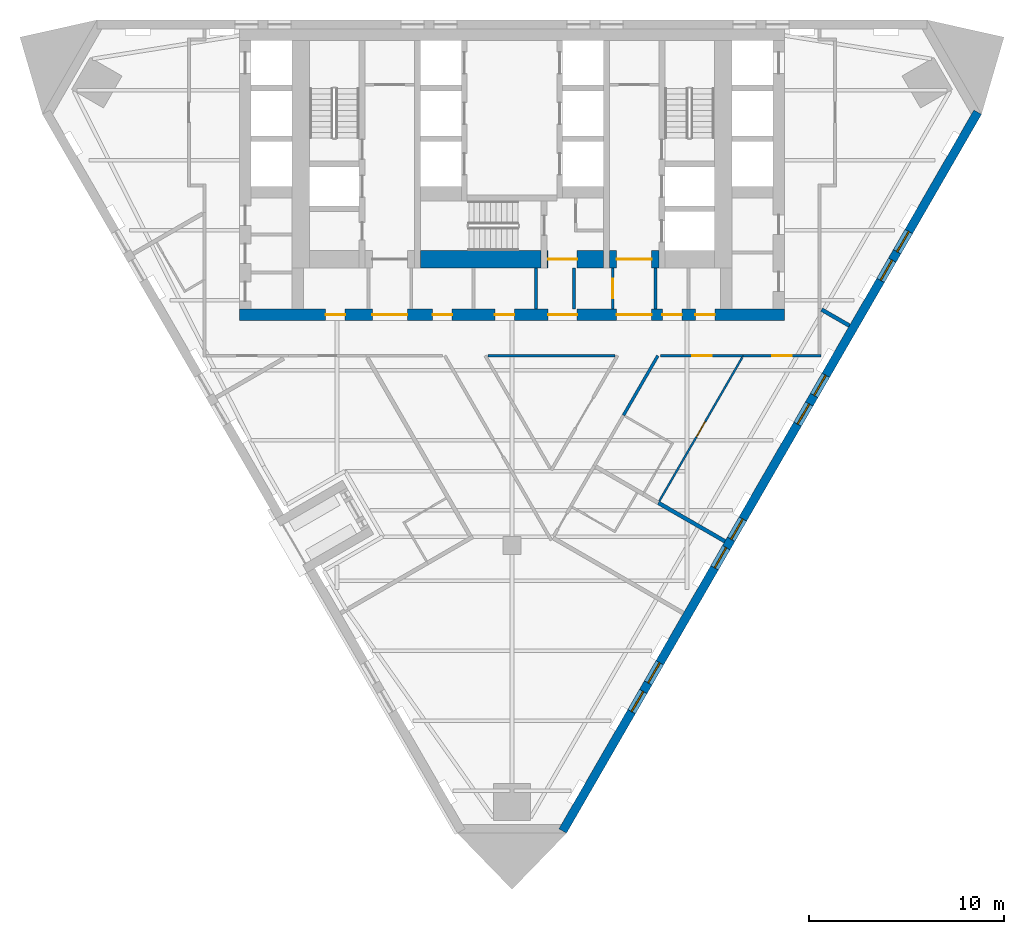
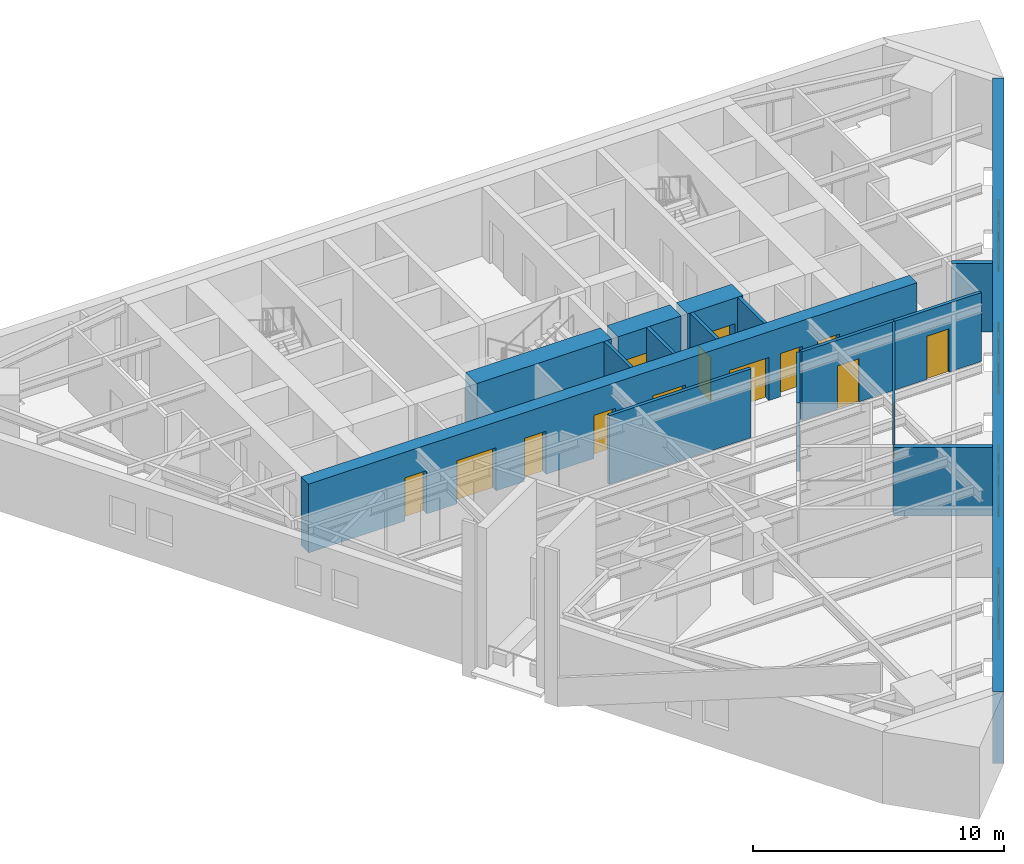
# One storey, part 4 of 9: 16 walls, 14 doors, 8 windows, 22 openings.
"""IFC4 building model written with IfcOpenShell, lengths in metres."""

from ifc_helpers import new_model, si_unit, direction, frame, frame_2d, origin, place, context, subcontext, project, spatial, polyline, rectangle, outline, extrude, material, layer, layer_set, type_object, element, fill, save


model = new_model("IFC4")

# Units and contexts
model_context = context("Model", 3, precision=1e-05, world=origin(), true_north=direction((0.0, 1.0)))
body_context = subcontext(model_context, "Body", "Model", "MODEL_VIEW")
ifc_project = project(units=[si_unit("LENGTHUNIT", "METRE"), si_unit("AREAUNIT", "SQUARE_METRE"), si_unit("VOLUMEUNIT", "CUBIC_METRE"), si_unit("PLANEANGLEUNIT", "RADIAN"), si_unit("MASSUNIT", "GRAM", prefix="KILO")], contexts=[model_context])

# Site, building, storey
site_placement = place(None, origin())
site = spatial("IfcSite", under=ifc_project, at=site_placement, CompositionType="ELEMENT")
building_placement = place(site_placement, origin())
building = spatial("IfcBuilding", under=site, at=building_placement, Name="Aloe Facet Convention Tower", CompositionType="ELEMENT")
storey_placement = place(building_placement, frame((0.0, 0.0, 99.300048828125)))
storey = spatial("IfcBuildingStorey", under=building, at=storey_placement, Name="L24", CompositionType="ELEMENT", Elevation=99.300048828125)

# Walls
ifc_material_1 = material(Name="Concrete blockwork partition", Category="masonry")
ifc_layer_1 = layer(ifc_material_1, 0.14990234375)
ifc_layer_set_1 = layer_set([ifc_layer_1], Name="CR-W-PART150")
wall_type_1 = type_object("IfcWallType", Name="CR-W-PART150", PredefinedType="PARTITIONING", material=ifc_layer_set_1)
for number, where, z_axis, x_axis, name in (
    (1, (81.22509765625, 122.25, 0.0), (0.0, 0.0, 1.0), (0.0, -1.0, 0.0), "Core partition L24-027"),
    (2, (83.175048828125, 122.25, 0.0), (0.0, 0.0, 1.0), (0.0, -1.0, 0.0), "Core partition L24-034"),
):
    element("IfcWall", number, at=place(storey_placement, frame(where, z_axis=z_axis, x_axis=x_axis)), inside=storey, type_object=wall_type_1, Name=name, PredefinedType="PARTITIONING", context=body_context, shape_type="SweptSolid", body=[
        extrude(rectangle(XDim=2.10009765625, YDim=0.14990234375, at=frame_2d((1.050048828125, 0.0))), origin(), (0.0, 0.0, 1.0), 3.349853515625),
    ])

# Wall, opening, door
wall_1_placement = place(storey_placement, frame((85.175048828125, 122.25, 0.0), z_axis=(0.0, 0.0, 1.0), x_axis=(0.0, -1.0, 0.0)))
wall_1 = element("IfcWall", 3, at=wall_1_placement, inside=storey, type_object=wall_type_1, Name="Core partition L24-040", PredefinedType="PARTITIONING", context=body_context, shape_type="SweptSolid", body=[
    extrude(rectangle(XDim=2.10009765625, YDim=0.14990234375, at=frame_2d((1.050048828125, 0.0))), origin(), (0.0, 0.0, 1.0), 3.349853515625),
])
opening_1_placement = place(wall_1_placement, frame((0.550048828125, 0.0, 0.0)))
opening_1 = element("IfcOpeningElement", 4, at=opening_1_placement, cuts=wall_1, Name="Opening L24-CD26", PredefinedType="OPENING", context=body_context, shape_type="SweptSolid", body=[
    extrude(rectangle(XDim=1.0, YDim=2.10009765625, at=frame_2d((0.5, 1.050048828125))), frame((0.0, 0.0849609375, 0.0), z_axis=(0.0, -1.0, 0.0), x_axis=(1.0, 0.0, 0.0)), (0.0, 0.0, 1.0), 0.169921875),
])
ifc_material_2 = material(Name="Steel fire-resisting door set FD60", Category="steel")
door_type_1 = type_object("IfcDoorType", Name="CR-D-ROOM-1000-FD60-SRIGHT", OperationType="SINGLE_SWING_RIGHT", PredefinedType="DOOR", material=ifc_material_2)
door_1_placement = place(opening_1_placement, origin())
door_1 = element("IfcDoor", 5, at=door_1_placement, inside=storey, type_object=door_type_1, Name="Core door L24-CD26", OperationType="SINGLE_SWING_RIGHT", OverallHeight=2.10009765625, OverallWidth=1.0, PredefinedType="DOOR", context=body_context, shape_type="SweptSolid", body=[
    extrude(rectangle(XDim=1.0, YDim=2.10009765625, at=frame_2d((0.5, 1.050048828125))), frame((0.0, 0.02490234375, 0.0), z_axis=(0.0, -1.0, 0.0), x_axis=(1.0, 0.0, 0.0)), (0.0, 0.0, 1.0), 0.050048828125),
])
fill(opening_1, door_1)

# Wall
wall_2_placement = place(storey_placement, frame((87.375, 122.25, 0.0), z_axis=(0.0, 0.0, 1.0), x_axis=(0.0, -1.0, 0.0)))
element("IfcWall", 6, at=wall_2_placement, inside=storey, type_object=wall_type_1, Name="Core partition L24-041", PredefinedType="PARTITIONING", context=body_context, shape_type="SweptSolid", body=[
    extrude(rectangle(XDim=2.10009765625, YDim=0.14990234375, at=frame_2d((1.050048828125, 0.0))), origin(), (0.0, 0.0, 1.0), 3.349853515625),
])

# Wall, openings, doors
ifc_material_3 = material(Name="Concrete C70/85", Category="concrete")
ifc_layer_2 = layer(ifc_material_3, 0.60009765625)
ifc_layer_set_2 = layer_set([ifc_layer_2], Name="CR-W-RC600-C7085")
wall_type_2 = type_object("IfcWallType", Name="CR-W-RC600-C7085", PredefinedType="SOLIDWALL", material=ifc_layer_set_2)
wall_3_placement = place(storey_placement, frame((66.0, 119.85009765625, 0.0), z_axis=(0.0, 0.0, 1.0), x_axis=(1.0, 0.0, 0.0)))
wall_3 = element("IfcWall", 7, at=wall_3_placement, inside=storey, type_object=wall_type_2, Name="Core wall L24-003", PredefinedType="SOLIDWALL", context=body_context, shape_type="SweptSolid", body=[
    extrude(rectangle(XDim=28.0, YDim=0.60009765625, at=frame_2d((14.0, 0.0))), origin(), (0.0, 0.0, 1.0), 3.349853515625),
])
opening_2_placement = place(wall_3_placement, frame((6.824951171875, 0.0, 0.0)))
opening_2 = element("IfcOpeningElement", 8, at=opening_2_placement, cuts=wall_3, Name="Opening L24-CD16", PredefinedType="OPENING", context=body_context, shape_type="SweptSolid", body=[
    extrude(rectangle(XDim=1.800048828125, YDim=2.10009765625, at=frame_2d((0.89990234375, 1.050048828125))), frame((0.0, 0.31005859375, 0.0), z_axis=(0.0, -1.0, 0.0), x_axis=(1.0, 0.0, 0.0)), (0.0, 0.0, 1.0), 0.6201171875),
])
opening_3_placement = place(wall_3_placement, frame((15.85009765625, 0.0, 0.0)))
opening_3 = element("IfcOpeningElement", 9, at=opening_3_placement, cuts=wall_3, Name="Opening L24-CD17", PredefinedType="OPENING", context=body_context, shape_type="SweptSolid", body=[
    extrude(rectangle(XDim=1.5, YDim=2.10009765625, at=frame_2d((0.75, 1.050048828125))), frame((0.0, 0.31005859375, 0.0), z_axis=(0.0, -1.0, 0.0), x_axis=(1.0, 0.0, 0.0)), (0.0, 0.0, 1.0), 0.6201171875),
])
opening_4_placement = place(wall_3_placement, frame((19.375, 0.0, 0.0)))
opening_4 = element("IfcOpeningElement", 10, at=opening_4_placement, cuts=wall_3, Name="Opening L24-CD18", PredefinedType="OPENING", context=body_context, shape_type="SweptSolid", body=[
    extrude(rectangle(XDim=1.800048828125, YDim=2.10009765625, at=frame_2d((0.89990234375, 1.050048828125))), frame((0.0, 0.31005859375, 0.0), z_axis=(0.0, -1.0, 0.0), x_axis=(1.0, 0.0, 0.0)), (0.0, 0.0, 1.0), 0.6201171875),
])
opening_5_placement = place(wall_3_placement, frame((4.425048828125, 0.0, 0.0)))
opening_5 = element("IfcOpeningElement", 11, at=opening_5_placement, cuts=wall_3, Name="Opening L24-CD23", PredefinedType="OPENING", context=body_context, shape_type="SweptSolid", body=[
    extrude(rectangle(XDim=1.0, YDim=2.10009765625, at=frame_2d((0.5, 1.050048828125))), frame((0.0, 0.31005859375, 0.0), z_axis=(0.0, -1.0, 0.0), x_axis=(1.0, 0.0, 0.0)), (0.0, 0.0, 1.0), 0.6201171875),
])
opening_6_placement = place(wall_3_placement, frame((9.925048828125, 0.0, 0.0)))
opening_6 = element("IfcOpeningElement", 12, at=opening_6_placement, cuts=wall_3, Name="Opening L24-CD24", PredefinedType="OPENING", context=body_context, shape_type="SweptSolid", body=[
    extrude(rectangle(XDim=1.0, YDim=2.10009765625, at=frame_2d((0.5, 1.050048828125))), frame((0.0, 0.31005859375, 0.0), z_axis=(0.0, -1.0, 0.0), x_axis=(1.0, 0.0, 0.0)), (0.0, 0.0, 1.0), 0.6201171875),
])
opening_7_placement = place(wall_3_placement, frame((13.125, 0.0, 0.0)))
opening_7 = element("IfcOpeningElement", 13, at=opening_7_placement, cuts=wall_3, Name="Opening L24-CD25", PredefinedType="OPENING", context=body_context, shape_type="SweptSolid", body=[
    extrude(rectangle(XDim=1.0, YDim=2.10009765625, at=frame_2d((0.5, 1.050048828125))), frame((0.0, 0.31005859375, 0.0), z_axis=(0.0, -1.0, 0.0), x_axis=(1.0, 0.0, 0.0)), (0.0, 0.0, 1.0), 0.6201171875),
])
opening_8_placement = place(wall_3_placement, frame((21.72509765625, 0.0, 0.0)))
opening_8 = element("IfcOpeningElement", 14, at=opening_8_placement, cuts=wall_3, Name="Opening L24-CD27", PredefinedType="OPENING", context=body_context, shape_type="SweptSolid", body=[
    extrude(rectangle(XDim=1.0, YDim=2.10009765625, at=frame_2d((0.5, 1.050048828125))), frame((0.0, 0.31005859375, 0.0), z_axis=(0.0, -1.0, 0.0), x_axis=(1.0, 0.0, 0.0)), (0.0, 0.0, 1.0), 0.6201171875),
])
opening_9_placement = place(wall_3_placement, frame((23.425048828125, 0.0, 0.0)))
opening_9 = element("IfcOpeningElement", 15, at=opening_9_placement, cuts=wall_3, Name="Opening L24-CD28", PredefinedType="OPENING", context=body_context, shape_type="SweptSolid", body=[
    extrude(rectangle(XDim=1.0, YDim=2.10009765625, at=frame_2d((0.5, 1.050048828125))), frame((0.0, 0.31005859375, 0.0), z_axis=(0.0, -1.0, 0.0), x_axis=(1.0, 0.0, 0.0)), (0.0, 0.0, 1.0), 0.6201171875),
])
ifc_material_4 = material(Name="Steel fire-resisting door set FD60", Category="steel")
door_type_2 = type_object("IfcDoorType", Name="CR-D-EXIT-1500-FD60-DD", OperationType="DOUBLE_DOOR_DOUBLE_SWING", PredefinedType="DOOR", material=ifc_material_4)
door_2_placement = place(opening_3_placement, origin())
door_2 = element("IfcDoor", 16, at=door_2_placement, inside=storey, type_object=door_type_2, Name="Core door L24-CD17", OperationType="DOUBLE_DOOR_DOUBLE_SWING", OverallHeight=2.10009765625, OverallWidth=1.5, PredefinedType="DOOR", context=body_context, shape_type="SweptSolid", body=[
    extrude(rectangle(XDim=1.5, YDim=2.10009765625, at=frame_2d((0.75, 1.050048828125))), frame((0.0, 0.02490234375, 0.0), z_axis=(0.0, -1.0, 0.0), x_axis=(1.0, 0.0, 0.0)), (0.0, 0.0, 1.0), 0.050048828125),
])
fill(opening_3, door_2)
ifc_material_5 = material(Name="Steel fire-resisting door set FD60", Category="steel")
door_type_3 = type_object("IfcDoorType", Name="CR-D-EXIT-1800-FD60-DD", OperationType="DOUBLE_DOOR_DOUBLE_SWING", PredefinedType="DOOR", material=ifc_material_5)
door_3_placement = place(opening_2_placement, origin())
door_3 = element("IfcDoor", 17, at=door_3_placement, inside=storey, type_object=door_type_3, Name="Core door L24-CD16", OperationType="DOUBLE_DOOR_DOUBLE_SWING", OverallHeight=2.10009765625, OverallWidth=1.800048828125, PredefinedType="DOOR", context=body_context, shape_type="SweptSolid", body=[
    extrude(rectangle(XDim=1.800048828125, YDim=2.10009765625, at=frame_2d((0.89990234375, 1.050048828125))), frame((0.0, 0.02490234375, 0.0), z_axis=(0.0, -1.0, 0.0), x_axis=(1.0, 0.0, 0.0)), (0.0, 0.0, 1.0), 0.050048828125),
])
fill(opening_2, door_3)
door_4_placement = place(opening_4_placement, origin())
door_4 = element("IfcDoor", 18, at=door_4_placement, inside=storey, type_object=door_type_3, Name="Core door L24-CD18", OperationType="DOUBLE_DOOR_DOUBLE_SWING", OverallHeight=2.10009765625, OverallWidth=1.800048828125, PredefinedType="DOOR", context=body_context, shape_type="SweptSolid", body=[
    extrude(rectangle(XDim=1.800048828125, YDim=2.10009765625, at=frame_2d((0.89990234375, 1.050048828125))), frame((0.0, 0.02490234375, 0.0), z_axis=(0.0, -1.0, 0.0), x_axis=(1.0, 0.0, 0.0)), (0.0, 0.0, 1.0), 0.050048828125),
])
fill(opening_4, door_4)
door_5_placement = place(opening_5_placement, origin())
door_5 = element("IfcDoor", 19, at=door_5_placement, inside=storey, type_object=door_type_1, Name="Core door L24-CD23", OperationType="SINGLE_SWING_RIGHT", OverallHeight=2.10009765625, OverallWidth=1.0, PredefinedType="DOOR", context=body_context, shape_type="SweptSolid", body=[
    extrude(rectangle(XDim=1.0, YDim=2.10009765625, at=frame_2d((0.5, 1.050048828125))), frame((0.0, 0.02490234375, 0.0), z_axis=(0.0, -1.0, 0.0), x_axis=(1.0, 0.0, 0.0)), (0.0, 0.0, 1.0), 0.050048828125),
])
fill(opening_5, door_5)
door_6_placement = place(opening_6_placement, origin())
door_6 = element("IfcDoor", 20, at=door_6_placement, inside=storey, type_object=door_type_1, Name="Core door L24-CD24", OperationType="SINGLE_SWING_RIGHT", OverallHeight=2.10009765625, OverallWidth=1.0, PredefinedType="DOOR", context=body_context, shape_type="SweptSolid", body=[
    extrude(rectangle(XDim=1.0, YDim=2.10009765625, at=frame_2d((0.5, 1.050048828125))), frame((0.0, 0.02490234375, 0.0), z_axis=(0.0, -1.0, 0.0), x_axis=(1.0, 0.0, 0.0)), (0.0, 0.0, 1.0), 0.050048828125),
])
fill(opening_6, door_6)
door_7_placement = place(opening_7_placement, origin())
door_7 = element("IfcDoor", 21, at=door_7_placement, inside=storey, type_object=door_type_1, Name="Core door L24-CD25", OperationType="SINGLE_SWING_RIGHT", OverallHeight=2.10009765625, OverallWidth=1.0, PredefinedType="DOOR", context=body_context, shape_type="SweptSolid", body=[
    extrude(rectangle(XDim=1.0, YDim=2.10009765625, at=frame_2d((0.5, 1.050048828125))), frame((0.0, 0.02490234375, 0.0), z_axis=(0.0, -1.0, 0.0), x_axis=(1.0, 0.0, 0.0)), (0.0, 0.0, 1.0), 0.050048828125),
])
fill(opening_7, door_7)
door_8_placement = place(opening_8_placement, origin())
door_8 = element("IfcDoor", 22, at=door_8_placement, inside=storey, type_object=door_type_1, Name="Core door L24-CD27", OperationType="SINGLE_SWING_RIGHT", OverallHeight=2.10009765625, OverallWidth=1.0, PredefinedType="DOOR", context=body_context, shape_type="SweptSolid", body=[
    extrude(rectangle(XDim=1.0, YDim=2.10009765625, at=frame_2d((0.5, 1.050048828125))), frame((0.0, 0.02490234375, 0.0), z_axis=(0.0, -1.0, 0.0), x_axis=(1.0, 0.0, 0.0)), (0.0, 0.0, 1.0), 0.050048828125),
])
fill(opening_8, door_8)
door_9_placement = place(opening_9_placement, origin())
door_9 = element("IfcDoor", 23, at=door_9_placement, inside=storey, type_object=door_type_1, Name="Core door L24-CD28", OperationType="SINGLE_SWING_RIGHT", OverallHeight=2.10009765625, OverallWidth=1.0, PredefinedType="DOOR", context=body_context, shape_type="SweptSolid", body=[
    extrude(rectangle(XDim=1.0, YDim=2.10009765625, at=frame_2d((0.5, 1.050048828125))), frame((0.0, 0.02490234375, 0.0), z_axis=(0.0, -1.0, 0.0), x_axis=(1.0, 0.0, 0.0)), (0.0, 0.0, 1.0), 0.050048828125),
])
fill(opening_9, door_9)

# Wall
ifc_material_6 = material(Name="Concrete C70/85", Category="concrete")
ifc_layer_3 = layer(ifc_material_6, 0.89990234375)
ifc_layer_set_3 = layer_set([ifc_layer_3], Name="CR-W-RC900-C7085")
wall_type_3 = type_object("IfcWallType", Name="CR-W-RC900-C7085", PredefinedType="SOLIDWALL", material=ifc_layer_set_3)
wall_4_placement = place(storey_placement, frame((75.300048828125, 122.699951171875, 0.0), z_axis=(0.0, 0.0, 1.0), x_axis=(1.0, 0.0, 0.0)))
element("IfcWall", 24, at=wall_4_placement, inside=storey, type_object=wall_type_3, Name="Core wall L24-023", PredefinedType="SOLIDWALL", context=body_context, shape_type="SweptSolid", body=[
    extrude(rectangle(XDim=6.199951171875, YDim=0.89990234375, at=frame_2d((3.10009765625, 0.0))), origin(), (0.0, 0.0, 1.0), 3.349853515625),
])

# Wall, opening, door
wall_5_placement = place(storey_placement, frame((81.800048828125, 122.699951171875, 0.0), z_axis=(0.0, 0.0, 1.0), x_axis=(1.0, 0.0, 0.0)))
wall_5 = element("IfcWall", 25, at=wall_5_placement, inside=storey, type_object=wall_type_3, Name="Core wall L24-029", PredefinedType="SOLIDWALL", context=body_context, shape_type="SweptSolid", body=[
    extrude(rectangle(XDim=2.89990234375, YDim=0.89990234375, at=frame_2d((1.449951171875, 0.0))), origin(), (0.0, 0.0, 1.0), 3.349853515625),
])
opening_10_placement = place(wall_5_placement, frame((0.050048828125, 0.0, 0.0)))
opening_10 = element("IfcOpeningElement", 26, at=opening_10_placement, cuts=wall_5, Name="Opening L24-CD15", PredefinedType="OPENING", context=body_context, shape_type="SweptSolid", body=[
    extrude(rectangle(XDim=1.5, YDim=2.10009765625, at=frame_2d((0.75, 1.050048828125))), frame((0.0, 0.4599609375, 0.0), z_axis=(0.0, -1.0, 0.0), x_axis=(1.0, 0.0, 0.0)), (0.0, 0.0, 1.0), 0.919921875),
])
door_10_placement = place(opening_10_placement, origin())
door_10 = element("IfcDoor", 27, at=door_10_placement, inside=storey, type_object=door_type_2, Name="Core door L24-CD15", OperationType="DOUBLE_DOOR_DOUBLE_SWING", OverallHeight=2.10009765625, OverallWidth=1.5, PredefinedType="DOOR", context=body_context, shape_type="SweptSolid", body=[
    extrude(rectangle(XDim=1.5, YDim=2.10009765625, at=frame_2d((0.75, 1.050048828125))), frame((0.0, 0.02490234375, 0.0), z_axis=(0.0, -1.0, 0.0), x_axis=(1.0, 0.0, 0.0)), (0.0, 0.0, 1.0), 0.050048828125),
])
fill(opening_10, door_10)

wall_6_placement = place(storey_placement, frame((85.0, 122.699951171875, 0.0), z_axis=(0.0, 0.0, 1.0), x_axis=(1.0, 0.0, 0.0)))
wall_6 = element("IfcWall", 28, at=wall_6_placement, inside=storey, type_object=wall_type_3, Name="Core wall L24-039", PredefinedType="SOLIDWALL", context=body_context, shape_type="SweptSolid", body=[
    extrude(rectangle(XDim=2.550048828125, YDim=0.89990234375, at=frame_2d((1.27490234375, 0.0))), origin(), (0.0, 0.0, 1.0), 3.349853515625),
])
opening_11_placement = place(wall_6_placement, frame((0.375, 0.0, 0.0)))
opening_11 = element("IfcOpeningElement", 29, at=opening_11_placement, cuts=wall_6, Name="Opening L24-CD13", PredefinedType="OPENING", context=body_context, shape_type="SweptSolid", body=[
    extrude(rectangle(XDim=1.800048828125, YDim=2.10009765625, at=frame_2d((0.89990234375, 1.050048828125))), frame((0.0, 0.4599609375, 0.0), z_axis=(0.0, -1.0, 0.0), x_axis=(1.0, 0.0, 0.0)), (0.0, 0.0, 1.0), 0.919921875),
])
ifc_material_7 = material(Name="Steel fire-resisting door set FD120", Category="steel")
door_type_4 = type_object("IfcDoorType", Name="CR-D-EXIT-1800-FD120-DD", OperationType="DOUBLE_DOOR_DOUBLE_SWING", PredefinedType="DOOR", material=ifc_material_7)
door_11_placement = place(opening_11_placement, origin())
door_11 = element("IfcDoor", 30, at=door_11_placement, inside=storey, type_object=door_type_4, Name="Core door L24-CD13", OperationType="DOUBLE_DOOR_DOUBLE_SWING", OverallHeight=2.10009765625, OverallWidth=1.800048828125, PredefinedType="DOOR", context=body_context, shape_type="SweptSolid", body=[
    extrude(rectangle(XDim=1.800048828125, YDim=2.10009765625, at=frame_2d((0.89990234375, 1.050048828125))), frame((0.0, 0.02490234375, 0.0), z_axis=(0.0, -1.0, 0.0), x_axis=(1.0, 0.0, 0.0)), (0.0, 0.0, 1.0), 0.050048828125),
])
fill(opening_11, door_11)

# Wall, openings, windows
ifc_material_8 = material(Name="Precast concrete C40/50", Category="concrete")
ifc_layer_4 = layer(ifc_material_8, 0.449951171875)
ifc_layer_set_4 = layer_set([ifc_layer_4], Name="EV-WALL-STONE")
wall_type_4 = type_object("IfcWallType", Name="EV-WALL-STONE", PredefinedType="SOLIDWALL", material=ifc_layer_set_4)
wall_7_placement = place(storey_placement, frame((82.605224609375, 93.332763671875, -0.150146484375), z_axis=(0.0, 0.0, 1.0), x_axis=(0.500000478905, 0.866025127289, 0.0)))
wall_7 = element("IfcWall", 31, at=wall_7_placement, inside=storey, type_object=wall_type_4, Name="EW-L24-E01", PredefinedType="SOLIDWALL", context=body_context, shape_type="SweptSolid", body=[
    extrude(outline(polyline([(42.64306640625, 0.0), (42.64306640625, 3.5), (0.0, 3.5), (0.0, 0.0), (42.64306640625, 0.0)])), frame((0.0, 0.22509765625, 0.0), z_axis=(0.0, -1.0, 0.0), x_axis=(1.0, 0.0, 0.0)), (0.0, 0.0, 1.0), 0.449951171875),
])
opening_12_placement = place(wall_7_placement, frame((7.07861328125, 0.0, 1.050048828125)))
opening_12 = element("IfcOpeningElement", 32, at=opening_12_placement, cuts=wall_7, Name="Opening W-L24-E01", PredefinedType="OPENING", context=body_context, shape_type="SweptSolid", body=[
    extrude(rectangle(XDim=1.199951171875, YDim=1.5, at=frame_2d((0.60009765625, 0.75))), frame((0.0, 0.23486328125, 0.0), z_axis=(0.0, -1.0, 0.0), x_axis=(1.0, 0.0, 0.0)), (0.0, 0.0, 1.0), 0.469970703125),
])
opening_13_placement = place(wall_7_placement, frame((8.778564453125, 0.0, 1.050048828125)))
opening_13 = element("IfcOpeningElement", 33, at=opening_13_placement, cuts=wall_7, Name="Opening W-L24-E02", PredefinedType="OPENING", context=body_context, shape_type="SweptSolid", body=[
    extrude(rectangle(XDim=1.199951171875, YDim=1.5, at=frame_2d((0.60009765625, 0.75))), frame((0.0, 0.23486328125, 0.0), z_axis=(0.0, -1.0, 0.0), x_axis=(1.0, 0.0, 0.0)), (0.0, 0.0, 1.0), 0.469970703125),
])
opening_14_placement = place(wall_7_placement, frame((15.607177734375, 0.0, 1.050048828125)))
opening_14 = element("IfcOpeningElement", 34, at=opening_14_placement, cuts=wall_7, Name="Opening W-L24-E03", PredefinedType="OPENING", context=body_context, shape_type="SweptSolid", body=[
    extrude(rectangle(XDim=1.199951171875, YDim=1.5, at=frame_2d((0.60009765625, 0.75))), frame((0.0, 0.23486328125, 0.0), z_axis=(0.0, -1.0, 0.0), x_axis=(1.0, 0.0, 0.0)), (0.0, 0.0, 1.0), 0.469970703125),
])
opening_15_placement = place(wall_7_placement, frame((17.30712890625, 0.0, 1.050048828125)))
opening_15 = element("IfcOpeningElement", 35, at=opening_15_placement, cuts=wall_7, Name="Opening W-L24-E04", PredefinedType="OPENING", context=body_context, shape_type="SweptSolid", body=[
    extrude(rectangle(XDim=1.199951171875, YDim=1.5, at=frame_2d((0.60009765625, 0.75))), frame((0.0, 0.23486328125, 0.0), z_axis=(0.0, -1.0, 0.0), x_axis=(1.0, 0.0, 0.0)), (0.0, 0.0, 1.0), 0.469970703125),
])
opening_16_placement = place(wall_7_placement, frame((24.1357421875, 0.0, 1.050048828125)))
opening_16 = element("IfcOpeningElement", 36, at=opening_16_placement, cuts=wall_7, Name="Opening W-L24-E05", PredefinedType="OPENING", context=body_context, shape_type="SweptSolid", body=[
    extrude(rectangle(XDim=1.199951171875, YDim=1.5, at=frame_2d((0.60009765625, 0.75))), frame((0.0, 0.23486328125, 0.0), z_axis=(0.0, -1.0, 0.0), x_axis=(1.0, 0.0, 0.0)), (0.0, 0.0, 1.0), 0.469970703125),
])
opening_17_placement = place(wall_7_placement, frame((25.8359375, 0.0, 1.050048828125)))
opening_17 = element("IfcOpeningElement", 37, at=opening_17_placement, cuts=wall_7, Name="Opening W-L24-E06", PredefinedType="OPENING", context=body_context, shape_type="SweptSolid", body=[
    extrude(rectangle(XDim=1.199951171875, YDim=1.5, at=frame_2d((0.60009765625, 0.75))), frame((0.0, 0.23486328125, 0.0), z_axis=(0.0, -1.0, 0.0), x_axis=(1.0, 0.0, 0.0)), (0.0, 0.0, 1.0), 0.469970703125),
])
opening_18_placement = place(wall_7_placement, frame((32.66455078125, 0.0, 1.050048828125)))
opening_18 = element("IfcOpeningElement", 38, at=opening_18_placement, cuts=wall_7, Name="Opening W-L24-E07", PredefinedType="OPENING", context=body_context, shape_type="SweptSolid", body=[
    extrude(rectangle(XDim=1.199951171875, YDim=1.5, at=frame_2d((0.60009765625, 0.75))), frame((0.0, 0.23486328125, 0.0), z_axis=(0.0, -1.0, 0.0), x_axis=(1.0, 0.0, 0.0)), (0.0, 0.0, 1.0), 0.469970703125),
])
opening_19_placement = place(wall_7_placement, frame((34.364501953125, 0.0, 1.050048828125)))
opening_19 = element("IfcOpeningElement", 39, at=opening_19_placement, cuts=wall_7, Name="Opening W-L24-E08", PredefinedType="OPENING", context=body_context, shape_type="SweptSolid", body=[
    extrude(rectangle(XDim=1.199951171875, YDim=1.5, at=frame_2d((0.60009765625, 0.75))), frame((0.0, 0.23486328125, 0.0), z_axis=(0.0, -1.0, 0.0), x_axis=(1.0, 0.0, 0.0)), (0.0, 0.0, 1.0), 0.469970703125),
])
ifc_material_9 = material(Name="Aluminium frame, clear double glazing", Category="aluminium")
window_type = type_object("IfcWindowType", Name="EV-WIN-H12", PartitioningType="SINGLE_PANEL", PredefinedType="WINDOW", material=ifc_material_9)
window_1_placement = place(opening_12_placement, origin())
window_1 = element("IfcWindow", 40, at=window_1_placement, inside=storey, type_object=window_type, Name="W-L24-E01", OverallHeight=1.5, OverallWidth=1.199951171875, PartitioningType="SINGLE_PANEL", PredefinedType="WINDOW", context=body_context, shape_type="SweptSolid", body=[
    extrude(rectangle(XDim=1.199951171875, YDim=1.5, at=frame_2d((0.60009765625, 0.75))), frame((0.0, 0.030029296875, 0.0), z_axis=(0.0, -1.0, 0.0), x_axis=(1.0, 0.0, 0.0)), (0.0, 0.0, 1.0), 0.06005859375),
])
fill(opening_12, window_1)
window_2_placement = place(opening_13_placement, origin())
window_2 = element("IfcWindow", 41, at=window_2_placement, inside=storey, type_object=window_type, Name="W-L24-E02", OverallHeight=1.5, OverallWidth=1.199951171875, PartitioningType="SINGLE_PANEL", PredefinedType="WINDOW", context=body_context, shape_type="SweptSolid", body=[
    extrude(rectangle(XDim=1.199951171875, YDim=1.5, at=frame_2d((0.60009765625, 0.75))), frame((0.0, 0.030029296875, 0.0), z_axis=(0.0, -1.0, 0.0), x_axis=(1.0, 0.0, 0.0)), (0.0, 0.0, 1.0), 0.06005859375),
])
fill(opening_13, window_2)
window_3_placement = place(opening_14_placement, origin())
window_3 = element("IfcWindow", 42, at=window_3_placement, inside=storey, type_object=window_type, Name="W-L24-E03", OverallHeight=1.5, OverallWidth=1.199951171875, PartitioningType="SINGLE_PANEL", PredefinedType="WINDOW", context=body_context, shape_type="SweptSolid", body=[
    extrude(rectangle(XDim=1.199951171875, YDim=1.5, at=frame_2d((0.60009765625, 0.75))), frame((0.0, 0.030029296875, 0.0), z_axis=(0.0, -1.0, 0.0), x_axis=(1.0, 0.0, 0.0)), (0.0, 0.0, 1.0), 0.06005859375),
])
fill(opening_14, window_3)
window_4_placement = place(opening_15_placement, origin())
window_4 = element("IfcWindow", 43, at=window_4_placement, inside=storey, type_object=window_type, Name="W-L24-E04", OverallHeight=1.5, OverallWidth=1.199951171875, PartitioningType="SINGLE_PANEL", PredefinedType="WINDOW", context=body_context, shape_type="SweptSolid", body=[
    extrude(rectangle(XDim=1.199951171875, YDim=1.5, at=frame_2d((0.60009765625, 0.75))), frame((0.0, 0.030029296875, 0.0), z_axis=(0.0, -1.0, 0.0), x_axis=(1.0, 0.0, 0.0)), (0.0, 0.0, 1.0), 0.06005859375),
])
fill(opening_15, window_4)
window_5_placement = place(opening_16_placement, origin())
window_5 = element("IfcWindow", 44, at=window_5_placement, inside=storey, type_object=window_type, Name="W-L24-E05", OverallHeight=1.5, OverallWidth=1.199951171875, PartitioningType="SINGLE_PANEL", PredefinedType="WINDOW", context=body_context, shape_type="SweptSolid", body=[
    extrude(rectangle(XDim=1.199951171875, YDim=1.5, at=frame_2d((0.60009765625, 0.75))), frame((0.0, 0.030029296875, 0.0), z_axis=(0.0, -1.0, 0.0), x_axis=(1.0, 0.0, 0.0)), (0.0, 0.0, 1.0), 0.06005859375),
])
fill(opening_16, window_5)
window_6_placement = place(opening_17_placement, origin())
window_6 = element("IfcWindow", 45, at=window_6_placement, inside=storey, type_object=window_type, Name="W-L24-E06", OverallHeight=1.5, OverallWidth=1.199951171875, PartitioningType="SINGLE_PANEL", PredefinedType="WINDOW", context=body_context, shape_type="SweptSolid", body=[
    extrude(rectangle(XDim=1.199951171875, YDim=1.5, at=frame_2d((0.60009765625, 0.75))), frame((0.0, 0.030029296875, 0.0), z_axis=(0.0, -1.0, 0.0), x_axis=(1.0, 0.0, 0.0)), (0.0, 0.0, 1.0), 0.06005859375),
])
fill(opening_17, window_6)
window_7_placement = place(opening_18_placement, origin())
window_7 = element("IfcWindow", 46, at=window_7_placement, inside=storey, type_object=window_type, Name="W-L24-E07", OverallHeight=1.5, OverallWidth=1.199951171875, PartitioningType="SINGLE_PANEL", PredefinedType="WINDOW", context=body_context, shape_type="SweptSolid", body=[
    extrude(rectangle(XDim=1.199951171875, YDim=1.5, at=frame_2d((0.60009765625, 0.75))), frame((0.0, 0.030029296875, 0.0), z_axis=(0.0, -1.0, 0.0), x_axis=(1.0, 0.0, 0.0)), (0.0, 0.0, 1.0), 0.06005859375),
])
fill(opening_18, window_7)
window_8_placement = place(opening_19_placement, origin())
window_8 = element("IfcWindow", 47, at=window_8_placement, inside=storey, type_object=window_type, Name="W-L24-E08", OverallHeight=1.5, OverallWidth=1.199951171875, PartitioningType="SINGLE_PANEL", PredefinedType="WINDOW", context=body_context, shape_type="SweptSolid", body=[
    extrude(rectangle(XDim=1.199951171875, YDim=1.5, at=frame_2d((0.60009765625, 0.75))), frame((0.0, 0.030029296875, 0.0), z_axis=(0.0, -1.0, 0.0), x_axis=(1.0, 0.0, 0.0)), (0.0, 0.0, 1.0), 0.06005859375),
])
fill(opening_19, window_8)

# Walls
ifc_material_10 = material(Name="Gypsum board partition on steel studs", Category="steel")
ifc_layer_5 = layer(ifc_material_10, 0.14990234375)
ifc_layer_set_5 = layer_set([ifc_layer_5], Name="IN-W-CORR")
wall_type_5 = type_object("IfcWallType", Name="IN-W-CORR", PredefinedType="PARTITIONING", material=ifc_layer_set_5)
wall_8_placement = place(storey_placement, frame((85.727294921875, 114.6904296875, 0.0), z_axis=(0.0, 0.0, 1.0), x_axis=(0.49998167436, 0.866035983839, 0.0)))
element("IfcWall", 48, at=wall_8_placement, inside=storey, type_object=wall_type_5, Name="Partition L24-W024", PredefinedType="PARTITIONING", context=body_context, shape_type="SweptSolid", body=[
    extrude(rectangle(XDim=3.532958984375, YDim=0.14990234375, at=frame_2d((1.7666015625, 0.0))), origin(), (0.0, 0.0, 1.0), 3.349853515625),
])
wall_9_placement = place(storey_placement, frame((78.756103515625, 117.75, 0.0), z_axis=(0.0, 0.0, 1.0), x_axis=(1.0, 0.0, 0.0)))
element("IfcWall", 49, at=wall_9_placement, inside=storey, type_object=wall_type_5, Name="Partition L24-W031", PredefinedType="PARTITIONING", context=body_context, shape_type="SweptSolid", body=[
    extrude(rectangle(XDim=6.529296875, YDim=0.14990234375, at=frame_2d((3.2646484375, 0.0))), origin(), (0.0, 0.0, 1.0), 3.349853515625),
])

# Wall, opening, door
wall_10_placement = place(storey_placement, frame((87.62353515625, 117.75, 0.0), z_axis=(0.0, 0.0, 1.0), x_axis=(1.0, 0.0, 0.0)))
wall_10 = element("IfcWall", 50, at=wall_10_placement, inside=storey, type_object=wall_type_5, Name="Partition L24-W032", PredefinedType="PARTITIONING", context=body_context, shape_type="SweptSolid", body=[
    extrude(rectangle(XDim=4.258056640625, YDim=0.14990234375, at=frame_2d((2.12890625, 0.0))), origin(), (0.0, 0.0, 1.0), 3.349853515625),
])
opening_20_placement = place(wall_10_placement, frame((1.62890625, 0.0, 0.0)))
opening_20 = element("IfcOpeningElement", 51, at=opening_20_placement, cuts=wall_10, Name="Opening L24-009", PredefinedType="OPENING", context=body_context, shape_type="SweptSolid", body=[
    extrude(rectangle(XDim=1.0, YDim=2.10009765625, at=frame_2d((0.5, 1.050048828125))), frame((0.0, 0.0849609375, 0.0), z_axis=(0.0, -1.0, 0.0), x_axis=(1.0, 0.0, 0.0)), (0.0, 0.0, 1.0), 0.169921875),
])
ifc_material_11 = material(Name="Hardwood flush door FD30S", Category="wood")
door_type_5 = type_object("IfcDoorType", Name="IN-D-WIDE", OperationType="SINGLE_SWING_LEFT", PredefinedType="DOOR", material=ifc_material_11)
door_12_placement = place(opening_20_placement, origin())
door_12 = element("IfcDoor", 52, at=door_12_placement, inside=storey, type_object=door_type_5, Name="Door L24-009", OperationType="SINGLE_SWING_LEFT", OverallHeight=2.10009765625, OverallWidth=1.0, PredefinedType="DOOR", context=body_context, shape_type="SweptSolid", body=[
    extrude(rectangle(XDim=1.0, YDim=2.10009765625, at=frame_2d((0.5, 1.050048828125))), frame((0.0, 0.02490234375, 0.0), z_axis=(0.0, -1.0, 0.0), x_axis=(1.0, 0.0, 0.0)), (0.0, 0.0, 1.0), 0.050048828125),
])
fill(opening_20, door_12)

wall_11_placement = place(storey_placement, frame((91.881591796875, 117.75, 0.0), z_axis=(0.0, 0.0, 1.0), x_axis=(1.0, 0.0, 0.0)))
wall_11 = element("IfcWall", 53, at=wall_11_placement, inside=storey, type_object=wall_type_5, Name="Partition L24-W034", PredefinedType="PARTITIONING", context=body_context, shape_type="SweptSolid", body=[
    extrude(rectangle(XDim=3.993408203125, YDim=0.14990234375, at=frame_2d((1.99658203125, 0.0))), origin(), (0.0, 0.0, 1.0), 3.349853515625),
])
opening_21_placement = place(wall_11_placement, frame((1.496826171875, 0.0, 0.0)))
opening_21 = element("IfcOpeningElement", 54, at=opening_21_placement, cuts=wall_11, Name="Opening L24-004", PredefinedType="OPENING", context=body_context, shape_type="SweptSolid", body=[
    extrude(rectangle(XDim=1.0, YDim=2.10009765625, at=frame_2d((0.5, 1.050048828125))), frame((0.0, 0.0849609375, 0.0), z_axis=(0.0, -1.0, 0.0), x_axis=(1.0, 0.0, 0.0)), (0.0, 0.0, 1.0), 0.169921875),
])
door_13_placement = place(opening_21_placement, origin())
door_13 = element("IfcDoor", 55, at=door_13_placement, inside=storey, type_object=door_type_5, Name="Door L24-004", OperationType="SINGLE_SWING_LEFT", OverallHeight=2.10009765625, OverallWidth=1.0, PredefinedType="DOOR", context=body_context, shape_type="SweptSolid", body=[
    extrude(rectangle(XDim=1.0, YDim=2.10009765625, at=frame_2d((0.5, 1.050048828125))), frame((0.0, 0.02490234375, 0.0), z_axis=(0.0, -1.0, 0.0), x_axis=(1.0, 0.0, 0.0)), (0.0, 0.0, 1.0), 0.050048828125),
])
fill(opening_21, door_13)

ifc_material_12 = material(Name="Gypsum board partition on steel studs", Category="steel")
ifc_layer_6 = layer(ifc_material_12, 0.10009765625)
ifc_layer_set_6 = layer_set([ifc_layer_6], Name="IN-W-PART")
wall_type_6 = type_object("IfcWallType", Name="IN-W-PART", PredefinedType="PARTITIONING", material=ifc_layer_set_6)
wall_12_placement = place(storey_placement, frame((87.572998046875, 110.28759765625, 0.0), z_axis=(0.0, 0.0, 1.0), x_axis=(0.500005988557, 0.866021946262, 0.0)))
wall_12 = element("IfcWall", 56, at=wall_12_placement, inside=storey, type_object=wall_type_6, Name="Partition L24-W033", PredefinedType="PARTITIONING", context=body_context, shape_type="SweptSolid", body=[
    extrude(rectangle(XDim=8.52197265625, YDim=0.10009765625, at=frame_2d((4.260986328125, 0.0))), origin(), (0.0, 0.0, 1.0), 3.349853515625),
])
opening_22_placement = place(wall_12_placement, frame((3.81103515625, 0.0, 0.0)))
opening_22 = element("IfcOpeningElement", 57, at=opening_22_placement, cuts=wall_12, Name="Opening L24-014", PredefinedType="OPENING", context=body_context, shape_type="SweptSolid", body=[
    extrude(rectangle(XDim=0.89990234375, YDim=2.10009765625, at=frame_2d((0.449951171875, 1.050048828125))), frame((0.0, 0.06005859375, 0.0), z_axis=(0.0, -1.0, 0.0), x_axis=(1.0, 0.0, 0.0)), (0.0, 0.0, 1.0), 0.1201171875),
])
ifc_material_13 = material(Name="Timber flush door", Category="wood")
door_type_6 = type_object("IfcDoorType", Name="IN-D-INT", OperationType="SINGLE_SWING_LEFT", PredefinedType="DOOR", material=ifc_material_13)
door_14_placement = place(opening_22_placement, origin())
door_14 = element("IfcDoor", 58, at=door_14_placement, inside=storey, type_object=door_type_6, Name="Door L24-014", OperationType="SINGLE_SWING_LEFT", OverallHeight=2.10009765625, OverallWidth=0.89990234375, PredefinedType="DOOR", context=body_context, shape_type="SweptSolid", body=[
    extrude(rectangle(XDim=0.89990234375, YDim=2.10009765625, at=frame_2d((0.449951171875, 1.050048828125))), frame((0.0, 0.02490234375, 0.0), z_axis=(0.0, -1.0, 0.0), x_axis=(1.0, 0.0, 0.0)), (0.0, 0.0, 1.0), 0.050048828125),
])
fill(opening_22, door_14)

# Walls
ifc_material_14 = material(Name="Gypsum board partition on steel studs", Category="steel")
ifc_layer_7 = layer(ifc_material_14, 0.199951171875)
ifc_layer_set_7 = layer_set([ifc_layer_7], Name="IN-W-PARTY")
wall_type_7 = type_object("IfcWallType", Name="IN-W-PARTY", PredefinedType="PARTITIONING", material=ifc_layer_set_7)
wall_13_placement = place(storey_placement, frame((87.51806640625, 110.1923828125, 0.0), z_axis=(0.0, 0.0, 1.0), x_axis=(0.866020906874, -0.500007788796, 0.0)))
element("IfcWall", 59, at=wall_13_placement, inside=storey, type_object=wall_type_7, Name="Partition L24-W003", PredefinedType="PARTITIONING", context=body_context, shape_type="SweptSolid", body=[
    extrude(rectangle(XDim=3.9501953125, YDim=0.199951171875, at=frame_2d((1.97509765625, 0.0))), origin(), (0.0, 0.0, 1.0), 3.349853515625),
])
wall_14_placement = place(storey_placement, frame((95.908203125, 120.1201171875, 0.0), z_axis=(0.0, 0.0, 1.0), x_axis=(0.866101713734, -0.499867803992, 0.0)))
element("IfcWall", 60, at=wall_14_placement, inside=storey, type_object=wall_type_7, Name="Partition L24-W035", PredefinedType="PARTITIONING", context=body_context, shape_type="SweptSolid", body=[
    extrude(rectangle(XDim=1.64794921875, YDim=0.199951171875, at=frame_2d((0.823974609375, 0.0))), origin(), (0.0, 0.0, 1.0), 3.349853515625),
])

save(model, "model.ifc")
